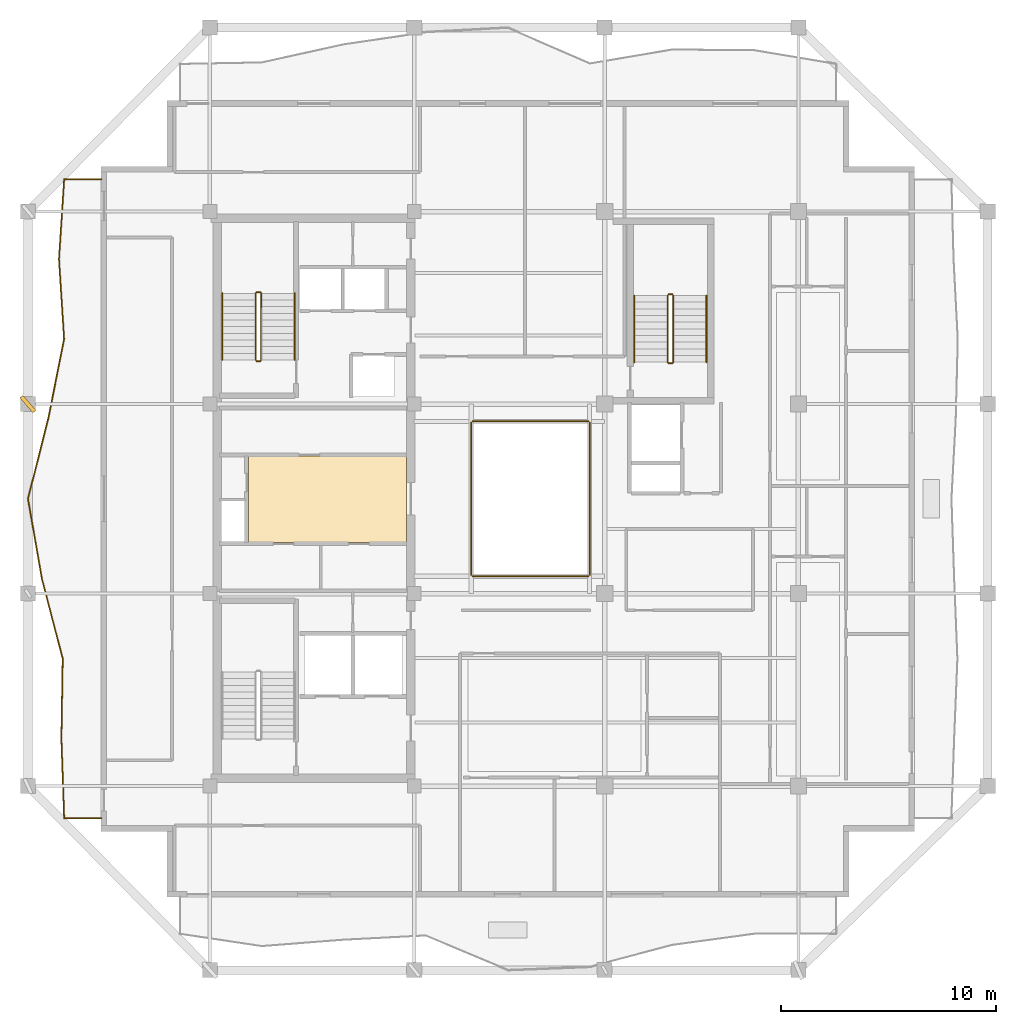
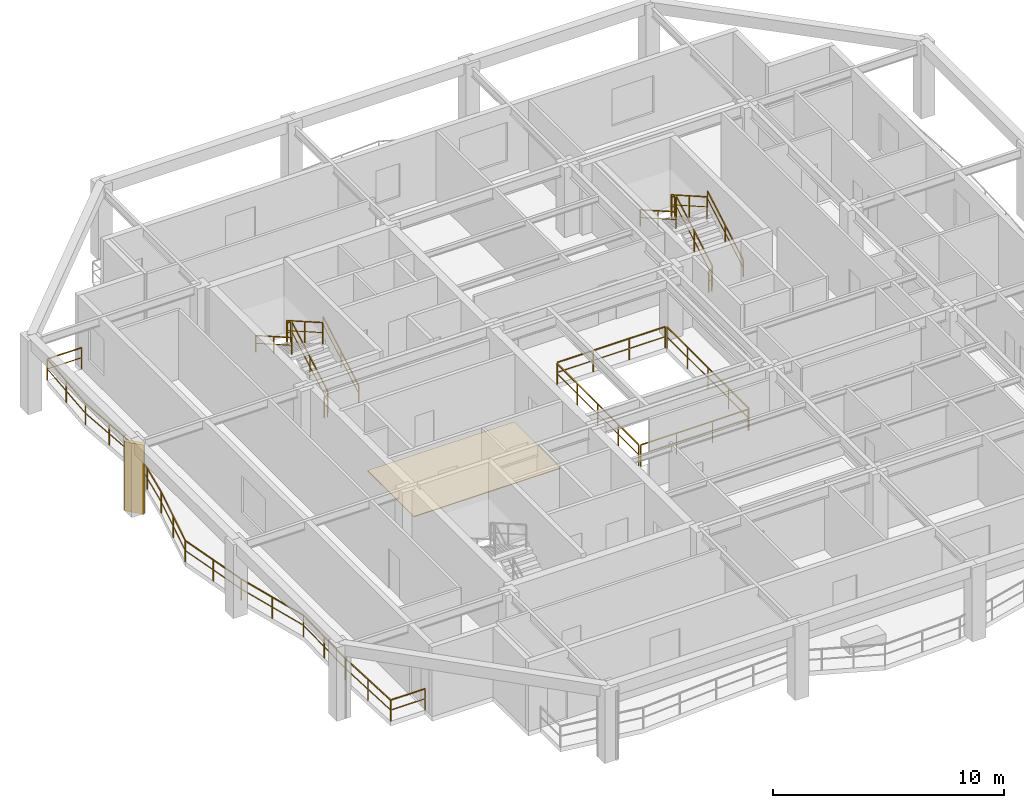
# One storey, part 8 of 10: 17 railings, 1 covering, 1 shading device.
"""IFC4 building model written with IfcOpenShell, lengths in metres."""

from ifc_helpers import new_model, si_unit, direction, frame, origin, origin_2d, place, context, subcontext, project, spatial, polyline, rectangle, outline, extrude, material, layer, layer_set, type_object, element, save


model = new_model("IFC4")

# Units and contexts
model_context = context("Model", 3, precision=1e-05, world=origin(), true_north=direction((0.0, 1.0)))
body_context = subcontext(model_context, "Body", "Model", "MODEL_VIEW")
ifc_project = project(units=[si_unit("LENGTHUNIT", "METRE"), si_unit("AREAUNIT", "SQUARE_METRE"), si_unit("VOLUMEUNIT", "CUBIC_METRE"), si_unit("PLANEANGLEUNIT", "RADIAN"), si_unit("MASSUNIT", "GRAM", prefix="KILO")], contexts=[model_context])

# Site, building, storey
site_placement = place(None, origin())
site = spatial("IfcSite", under=ifc_project, at=site_placement, CompositionType="ELEMENT")
building_placement = place(site_placement, origin())
building = spatial("IfcBuilding", under=site, at=building_placement, Name="Kundavana Baori Tower", CompositionType="ELEMENT")
storey_placement = place(building_placement, frame((0.0, 0.0, 296.0)))
storey = spatial("IfcBuildingStorey", under=building, at=storey_placement, Name="L73", CompositionType="ELEMENT", Elevation=296.0)

# Covering
ifc_material_1 = material(Name="Honed Kota Stone and Terrazzo Flooring", Category="masonry")
ifc_layer = layer(ifc_material_1, 0.0400390625, Name="COV-FLR-TERR-40")
ifc_layer_set = layer_set([ifc_layer], Name="Honed Kota Stone and Terrazzo Flooring")
covering_type = type_object("IfcCoveringType", Name="COV-FLR-TERR-40", PredefinedType="FLOORING", material=ifc_layer_set)
covering_placement = place(storey_placement, origin())
element("IfcCovering", 1, at=covering_placement, inside=storey, type_object=covering_type, Name="L73 Core Lift Lobby Kota Stone Flooring", PredefinedType="FLOORING", context=body_context, shape_type="SweptSolid", body=[
    extrude(outline(polyline([(17.25, 26.580078125), (24.580078125, 26.580078125), (24.580078125, 30.60009765625), (17.25, 30.60009765625), (17.25, 26.580078125)])), origin(), (0.0, 0.0, 1.0), 0.0400390625),
])

# Railings
ifc_material_2 = material(Name="Architectural Patinated Bronze Metalwork")
railing_type_1 = type_object("IfcRailingType", Name="RL-BAL-1150", PredefinedType="BALUSTRADE", material=ifc_material_2)
railing_1_placement = place(storey_placement, frame((10.39990234375, 13.75, 0.0)))
element("IfcRailing", 2, at=railing_1_placement, inside=storey, type_object=railing_type_1, Name="L73 Loggia Balcony Balustrade W", PredefinedType="BALUSTRADE", context=body_context, shape_type="SweptSolid", body=[
    extrude(rectangle(XDim=0.048095703125, YDim=0.048095703125, at=origin_2d()), frame((0.0, 0.0, 1.1259765625), z_axis=(-1.0, 0.0, 0.0), x_axis=(0.0, -1.0, 0.0)), (0.0, 0.0, 1.0), 1.719970703125),
    extrude(rectangle(XDim=0.03125, YDim=0.03125, at=origin_2d()), frame((0.0, 0.0, 0.597900390625), z_axis=(-1.0, 0.0, 0.0), x_axis=(0.0, -1.0, 0.0)), (0.0, 0.0, 1.0), 1.719970703125),
    extrude(rectangle(XDim=0.048095703125, YDim=0.048095703125, at=origin_2d()), frame((-1.719970703125, 0.0, 1.1259765625), z_axis=(-0.034969390962, 0.999388383811, 0.0), x_axis=(-0.999388383811, -0.034969390962, 0.0)), (0.0, 0.0, 1.0), 3.714111328125),
    extrude(rectangle(XDim=0.03125, YDim=0.03125, at=origin_2d()), frame((-1.719970703125, 0.0, 0.597900390625), z_axis=(-0.034969390962, 0.999388383811, 0.0), x_axis=(-0.999388383811, -0.034969390962, 0.0)), (0.0, 0.0, 1.0), 3.714111328125),
    extrude(rectangle(XDim=0.048095703125, YDim=0.048095703125, at=origin_2d()), frame((-1.849853515625, 3.7119140625, 1.1259765625), z_axis=(0.01643541537, 0.999864929439, 0.0), x_axis=(-0.999864929439, 0.01643541537, 0.0)), (0.0, 0.0, 1.0), 3.713623046875),
    extrude(rectangle(XDim=0.03125, YDim=0.03125, at=origin_2d()), frame((-1.849853515625, 3.7119140625, 0.597900390625), z_axis=(0.01643541537, 0.999864929439, 0.0), x_axis=(-0.999864929439, 0.01643541537, 0.0)), (0.0, 0.0, 1.0), 3.713623046875),
    extrude(rectangle(XDim=0.048095703125, YDim=0.048095703125, at=origin_2d()), frame((-1.788818359375, 7.425048828125, 1.1259765625), z_axis=(-0.251807899122, 0.967777237767, 0.0), x_axis=(-0.967777237767, -0.251807899122, 0.0)), (0.0, 0.0, 1.0), 3.83642578125),
    extrude(rectangle(XDim=0.03125, YDim=0.03125, at=origin_2d()), frame((-1.788818359375, 7.425048828125, 0.597900390625), z_axis=(-0.251807899122, 0.967777237767, 0.0), x_axis=(-0.967777237767, -0.251807899122, 0.0)), (0.0, 0.0, 1.0), 3.83642578125),
    extrude(rectangle(XDim=0.048095703125, YDim=0.048095703125, at=origin_2d()), frame((-2.7548828125, 11.137939453125, 1.1259765625), z_axis=(-0.171193507147, 0.985237424741, 0.0), x_axis=(-0.985237424741, -0.171193507147, 0.0)), (0.0, 0.0, 1.0), 3.767822265625),
    extrude(rectangle(XDim=0.03125, YDim=0.03125, at=origin_2d()), frame((-2.7548828125, 11.137939453125, 0.597900390625), z_axis=(-0.171193507147, 0.985237424741, 0.0), x_axis=(-0.985237424741, -0.171193507147, 0.0)), (0.0, 0.0, 1.0), 3.767822265625),
    extrude(rectangle(XDim=0.048095703125, YDim=0.048095703125, at=origin_2d()), frame((-3.39990234375, 14.85009765625, 1.1259765625), z_axis=(0.244755744904, 0.969584769546, 0.0), x_axis=(-0.969584769546, 0.244755744904, 0.0)), (0.0, 0.0, 1.0), 3.828369140625),
    extrude(rectangle(XDim=0.03125, YDim=0.03125, at=origin_2d()), frame((-3.39990234375, 14.85009765625, 0.597900390625), z_axis=(0.244755744904, 0.969584769546, 0.0), x_axis=(-0.969584769546, 0.244755744904, 0.0)), (0.0, 0.0, 1.0), 3.828369140625),
    extrude(rectangle(XDim=0.048095703125, YDim=0.048095703125, at=origin_2d()), frame((-2.462890625, 18.56201171875, 1.1259765625), z_axis=(0.195458824017, 0.980711908826, 0.0), x_axis=(-0.980711908826, 0.195458824017, 0.0)), (0.0, 0.0, 1.0), 3.785888671875),
    extrude(rectangle(XDim=0.03125, YDim=0.03125, at=origin_2d()), frame((-2.462890625, 18.56201171875, 0.597900390625), z_axis=(0.195458824017, 0.980711908826, 0.0), x_axis=(-0.980711908826, 0.195458824017, 0.0)), (0.0, 0.0, 1.0), 3.785888671875),
    extrude(rectangle(XDim=0.048095703125, YDim=0.048095703125, at=origin_2d()), frame((-1.722900390625, 22.27490234375, 1.1259765625), z_axis=(-0.063975454374, 0.997951472386, 0.0), x_axis=(-0.997951472386, -0.063975454374, 0.0)), (0.0, 0.0, 1.0), 3.720703125),
    extrude(rectangle(XDim=0.03125, YDim=0.03125, at=origin_2d()), frame((-1.722900390625, 22.27490234375, 0.597900390625), z_axis=(-0.063975454374, 0.997951472386, 0.0), x_axis=(-0.997951472386, -0.063975454374, 0.0)), (0.0, 0.0, 1.0), 3.720703125),
    extrude(rectangle(XDim=0.048095703125, YDim=0.048095703125, at=origin_2d()), frame((-1.9609375, 25.988037109375, 1.1259765625), z_axis=(0.064780769939, 0.997899519915, 0.0), x_axis=(-0.997899519915, 0.064780769939, 0.0)), (0.0, 0.0, 1.0), 3.7197265625),
    extrude(rectangle(XDim=0.03125, YDim=0.03125, at=origin_2d()), frame((-1.9609375, 25.988037109375, 0.597900390625), z_axis=(0.064780769939, 0.997899519915, 0.0), x_axis=(-0.997899519915, 0.064780769939, 0.0)), (0.0, 0.0, 1.0), 3.7197265625),
    extrude(rectangle(XDim=0.048095703125, YDim=0.048095703125, at=origin_2d()), frame((-1.719970703125, 29.699951171875, 1.1259765625), z_axis=(1.0, 0.0, 0.0), x_axis=(0.0, 1.0, 0.0)), (0.0, 0.0, 1.0), 1.719970703125),
    extrude(rectangle(XDim=0.03125, YDim=0.03125, at=origin_2d()), frame((-1.719970703125, 29.699951171875, 0.597900390625), z_axis=(1.0, 0.0, 0.0), x_axis=(0.0, 1.0, 0.0)), (0.0, 0.0, 1.0), 1.719970703125),
    extrude(rectangle(XDim=0.0419921875, YDim=0.0419921875, at=origin_2d()), origin(), (0.0, 0.0, 1.0), 1.101806640625),
    extrude(rectangle(XDim=0.0419921875, YDim=0.0419921875, at=origin_2d()), frame((-1.719970703125, 0.0, 0.0)), (0.0, 0.0, 1.0), 1.101806640625),
    extrude(rectangle(XDim=0.0419921875, YDim=0.0419921875, at=origin_2d()), frame((-1.784912109375, 1.85595703125, 0.0)), (0.0, 0.0, 1.0), 1.101806640625),
    extrude(rectangle(XDim=0.0419921875, YDim=0.0419921875, at=origin_2d()), frame((-1.849853515625, 3.7119140625, 0.0)), (0.0, 0.0, 1.0), 1.101806640625),
    extrude(rectangle(XDim=0.0419921875, YDim=0.0419921875, at=origin_2d()), frame((-1.8193359375, 5.568359375, 0.0)), (0.0, 0.0, 1.0), 1.101806640625),
    extrude(rectangle(XDim=0.0419921875, YDim=0.0419921875, at=origin_2d()), frame((-1.788818359375, 7.425048828125, 0.0)), (0.0, 0.0, 1.0), 1.101806640625),
    extrude(rectangle(XDim=0.0419921875, YDim=0.0419921875, at=origin_2d()), frame((-2.27197265625, 9.281494140625, 0.0)), (0.0, 0.0, 1.0), 1.101806640625),
    extrude(rectangle(XDim=0.0419921875, YDim=0.0419921875, at=origin_2d()), frame((-2.7548828125, 11.137939453125, 0.0)), (0.0, 0.0, 1.0), 1.101806640625),
    extrude(rectangle(XDim=0.0419921875, YDim=0.0419921875, at=origin_2d()), frame((-3.077392578125, 12.994140625, 0.0)), (0.0, 0.0, 1.0), 1.101806640625),
    extrude(rectangle(XDim=0.0419921875, YDim=0.0419921875, at=origin_2d()), frame((-3.39990234375, 14.85009765625, 0.0)), (0.0, 0.0, 1.0), 1.101806640625),
    extrude(rectangle(XDim=0.0419921875, YDim=0.0419921875, at=origin_2d()), frame((-2.931396484375, 16.7060546875, 0.0)), (0.0, 0.0, 1.0), 1.101806640625),
    extrude(rectangle(XDim=0.0419921875, YDim=0.0419921875, at=origin_2d()), frame((-2.462890625, 18.56201171875, 0.0)), (0.0, 0.0, 1.0), 1.101806640625),
    extrude(rectangle(XDim=0.0419921875, YDim=0.0419921875, at=origin_2d()), frame((-2.0927734375, 20.41845703125, 0.0)), (0.0, 0.0, 1.0), 1.101806640625),
    extrude(rectangle(XDim=0.0419921875, YDim=0.0419921875, at=origin_2d()), frame((-1.722900390625, 22.27490234375, 0.0)), (0.0, 0.0, 1.0), 1.101806640625),
    extrude(rectangle(XDim=0.0419921875, YDim=0.0419921875, at=origin_2d()), frame((-1.841796875, 24.13134765625, 0.0)), (0.0, 0.0, 1.0), 1.101806640625),
    extrude(rectangle(XDim=0.0419921875, YDim=0.0419921875, at=origin_2d()), frame((-1.9609375, 25.988037109375, 0.0)), (0.0, 0.0, 1.0), 1.101806640625),
    extrude(rectangle(XDim=0.0419921875, YDim=0.0419921875, at=origin_2d()), frame((-1.84033203125, 27.843994140625, 0.0)), (0.0, 0.0, 1.0), 1.101806640625),
    extrude(rectangle(XDim=0.0419921875, YDim=0.0419921875, at=origin_2d()), frame((-1.719970703125, 29.699951171875, 0.0)), (0.0, 0.0, 1.0), 1.101806640625),
    extrude(rectangle(XDim=0.0419921875, YDim=0.0419921875, at=origin_2d()), frame((0.0, 29.699951171875, 0.0)), (0.0, 0.0, 1.0), 1.101806640625),
])
ifc_material_3 = material(Name="Architectural Patinated Bronze Metalwork")
railing_type_2 = type_object("IfcRailingType", Name="RL-GRD-1150", PredefinedType="GUARDRAIL", material=ifc_material_3)
railing_2_placement = place(storey_placement, frame((17.840087890625, 35.050048828125, 0.17724609375)))
element("IfcRailing", 3, at=railing_2_placement, inside=storey, type_object=railing_type_2, Name="L73 ST2 stair guard 1", PredefinedType="GUARDRAIL", context=body_context, shape_type="SweptSolid", body=[
    extrude(rectangle(XDim=0.048095703125, YDim=0.048095703125, at=origin_2d()), frame((0.0, 0.0, 1.1259765625), z_axis=(0.0, 0.868079009454, 0.496426060301), x_axis=(-1.0, 0.0, 0.0)), (0.0, 0.0, 1.0), 3.571044921875),
    extrude(rectangle(XDim=0.03125, YDim=0.03125, at=origin_2d()), frame((0.0, 0.0, 0.597900390625), z_axis=(0.0, 0.868079009454, 0.496426060301), x_axis=(-1.0, 0.0, 0.0)), (0.0, 0.0, 1.0), 3.571044921875),
    extrude(rectangle(XDim=0.0419921875, YDim=0.0419921875, at=origin_2d()), origin(), (0.0, 0.0, 1.0), 1.101806640625),
    extrude(rectangle(XDim=0.0419921875, YDim=0.0419921875, at=origin_2d()), frame((0.0, 1.5498046875, 0.88623046875)), (0.0, 0.0, 1.0), 1.101806640625),
    extrude(rectangle(XDim=0.0419921875, YDim=0.0419921875, at=origin_2d()), frame((0.0, 3.099853515625, 1.772705078125)), (0.0, 0.0, 1.0), 1.101806640625),
])
railing_3_placement = place(storey_placement, frame((17.7900390625, 38.199951171875, 1.949951171875)))
element("IfcRailing", 4, at=railing_3_placement, inside=storey, type_object=railing_type_2, Name="L73 ST2 stair guard 2", PredefinedType="GUARDRAIL", context=body_context, shape_type="SweptSolid", body=[
    extrude(rectangle(XDim=0.048095703125, YDim=0.048095703125, at=origin_2d()), frame((0.0, 0.0, 1.1259765625), z_axis=(-1.0, 0.0, 0.0), x_axis=(0.0, -1.0, 0.0)), (0.0, 0.0, 1.0), 0.16015625),
    extrude(rectangle(XDim=0.03125, YDim=0.03125, at=origin_2d()), frame((0.0, 0.0, 0.597900390625), z_axis=(-1.0, 0.0, 0.0), x_axis=(0.0, -1.0, 0.0)), (0.0, 0.0, 1.0), 0.16015625),
    extrude(rectangle(XDim=0.0419921875, YDim=0.0419921875, at=origin_2d()), origin(), (0.0, 0.0, 1.0), 1.101806640625),
    extrude(rectangle(XDim=0.0419921875, YDim=0.0419921875, at=origin_2d()), frame((-0.16015625, 0.0, 0.0)), (0.0, 0.0, 1.0), 1.101806640625),
])
railing_4_placement = place(storey_placement, frame((17.580078125, 38.14990234375, 2.127197265625)))
element("IfcRailing", 5, at=railing_4_placement, inside=storey, type_object=railing_type_2, Name="L73 ST2 stair guard 3", PredefinedType="GUARDRAIL", context=body_context, shape_type="SweptSolid", body=[
    extrude(rectangle(XDim=0.048095703125, YDim=0.048095703125, at=origin_2d()), frame((0.0, 0.0, 1.1259765625), z_axis=(0.0, -0.868079009454, 0.496426060301), x_axis=(1.0, 0.0, 0.0)), (0.0, 0.0, 1.0), 3.571044921875),
    extrude(rectangle(XDim=0.03125, YDim=0.03125, at=origin_2d()), frame((0.0, 0.0, 0.597900390625), z_axis=(0.0, -0.868079009454, 0.496426060301), x_axis=(1.0, 0.0, 0.0)), (0.0, 0.0, 1.0), 3.571044921875),
    extrude(rectangle(XDim=0.0419921875, YDim=0.0419921875, at=origin_2d()), origin(), (0.0, 0.0, 1.0), 1.101806640625),
    extrude(rectangle(XDim=0.0419921875, YDim=0.0419921875, at=origin_2d()), frame((0.0, -1.5498046875, 0.88623046875)), (0.0, 0.0, 1.0), 1.101806640625),
    extrude(rectangle(XDim=0.0419921875, YDim=0.0419921875, at=origin_2d()), frame((0.0, -3.099853515625, 1.772705078125)), (0.0, 0.0, 1.0), 1.101806640625),
])
railing_5_placement = place(storey_placement, frame((17.7900390625, 35.0, 0.0)))
element("IfcRailing", 6, at=railing_5_placement, inside=storey, type_object=railing_type_2, Name="L73 ST2 stair guard 4", PredefinedType="GUARDRAIL", context=body_context, shape_type="SweptSolid", body=[
    extrude(rectangle(XDim=0.048095703125, YDim=0.048095703125, at=origin_2d()), frame((0.0, 0.0, 1.1259765625), z_axis=(-1.0, 0.0, 0.0), x_axis=(0.0, -1.0, 0.0)), (0.0, 0.0, 1.0), 0.16015625),
    extrude(rectangle(XDim=0.03125, YDim=0.03125, at=origin_2d()), frame((0.0, 0.0, 0.597900390625), z_axis=(-1.0, 0.0, 0.0), x_axis=(0.0, -1.0, 0.0)), (0.0, 0.0, 1.0), 0.16015625),
    extrude(rectangle(XDim=0.0419921875, YDim=0.0419921875, at=origin_2d()), origin(), (0.0, 0.0, 1.0), 1.101806640625),
    extrude(rectangle(XDim=0.0419921875, YDim=0.0419921875, at=origin_2d()), frame((-0.16015625, 0.0, 0.0)), (0.0, 0.0, 1.0), 1.101806640625),
])
railing_6_placement = place(storey_placement, frame((36.97998046875, 34.949951171875, 0.17724609375)))
element("IfcRailing", 7, at=railing_6_placement, inside=storey, type_object=railing_type_2, Name="L73 ST3 stair guard 1", PredefinedType="GUARDRAIL", context=body_context, shape_type="SweptSolid", body=[
    extrude(rectangle(XDim=0.048095703125, YDim=0.048095703125, at=origin_2d()), frame((0.0, 0.0, 1.1259765625), z_axis=(0.0, 0.868095856688, 0.496396599103), x_axis=(-1.0, 0.0, 0.0)), (0.0, 0.0, 1.0), 3.571044921875),
    extrude(rectangle(XDim=0.03125, YDim=0.03125, at=origin_2d()), frame((0.0, 0.0, 0.597900390625), z_axis=(0.0, 0.868095856688, 0.496396599103), x_axis=(-1.0, 0.0, 0.0)), (0.0, 0.0, 1.0), 3.571044921875),
    extrude(rectangle(XDim=0.0419921875, YDim=0.0419921875, at=origin_2d()), origin(), (0.0, 0.0, 1.0), 1.101806640625),
    extrude(rectangle(XDim=0.0419921875, YDim=0.0419921875, at=origin_2d()), frame((0.0, 1.550048828125, 0.88623046875)), (0.0, 0.0, 1.0), 1.101806640625),
    extrude(rectangle(XDim=0.0419921875, YDim=0.0419921875, at=origin_2d()), frame((0.0, 3.10009765625, 1.772705078125)), (0.0, 0.0, 1.0), 1.101806640625),
])
railing_7_placement = place(storey_placement, frame((36.929931640625, 38.10009765625, 1.949951171875)))
element("IfcRailing", 8, at=railing_7_placement, inside=storey, type_object=railing_type_2, Name="L73 ST3 stair guard 2", PredefinedType="GUARDRAIL", context=body_context, shape_type="SweptSolid", body=[
    extrude(rectangle(XDim=0.048095703125, YDim=0.048095703125, at=origin_2d()), frame((0.0, 0.0, 1.1259765625), z_axis=(-1.0, 0.0, 0.0), x_axis=(0.0, -1.0, 0.0)), (0.0, 0.0, 1.0), 0.159912109375),
    extrude(rectangle(XDim=0.03125, YDim=0.03125, at=origin_2d()), frame((0.0, 0.0, 0.597900390625), z_axis=(-1.0, 0.0, 0.0), x_axis=(0.0, -1.0, 0.0)), (0.0, 0.0, 1.0), 0.159912109375),
    extrude(rectangle(XDim=0.0419921875, YDim=0.0419921875, at=origin_2d()), origin(), (0.0, 0.0, 1.0), 1.101806640625),
    extrude(rectangle(XDim=0.0419921875, YDim=0.0419921875, at=origin_2d()), frame((-0.159912109375, 0.0, 0.0)), (0.0, 0.0, 1.0), 1.101806640625),
])
railing_8_placement = place(storey_placement, frame((36.719970703125, 38.050048828125, 2.127197265625)))
element("IfcRailing", 9, at=railing_8_placement, inside=storey, type_object=railing_type_2, Name="L73 ST3 stair guard 3", PredefinedType="GUARDRAIL", context=body_context, shape_type="SweptSolid", body=[
    extrude(rectangle(XDim=0.048095703125, YDim=0.048095703125, at=origin_2d()), frame((0.0, 0.0, 1.1259765625), z_axis=(0.0, -0.868095856688, 0.496396599103), x_axis=(1.0, 0.0, 0.0)), (0.0, 0.0, 1.0), 3.571044921875),
    extrude(rectangle(XDim=0.03125, YDim=0.03125, at=origin_2d()), frame((0.0, 0.0, 0.597900390625), z_axis=(0.0, -0.868095856688, 0.496396599103), x_axis=(1.0, 0.0, 0.0)), (0.0, 0.0, 1.0), 3.571044921875),
    extrude(rectangle(XDim=0.0419921875, YDim=0.0419921875, at=origin_2d()), origin(), (0.0, 0.0, 1.0), 1.101806640625),
    extrude(rectangle(XDim=0.0419921875, YDim=0.0419921875, at=origin_2d()), frame((0.0, -1.550048828125, 0.88623046875)), (0.0, 0.0, 1.0), 1.101806640625),
    extrude(rectangle(XDim=0.0419921875, YDim=0.0419921875, at=origin_2d()), frame((0.0, -3.10009765625, 1.772705078125)), (0.0, 0.0, 1.0), 1.101806640625),
])
railing_9_placement = place(storey_placement, frame((36.929931640625, 34.89990234375, 0.0)))
element("IfcRailing", 10, at=railing_9_placement, inside=storey, type_object=railing_type_2, Name="L73 ST3 stair guard 4", PredefinedType="GUARDRAIL", context=body_context, shape_type="SweptSolid", body=[
    extrude(rectangle(XDim=0.048095703125, YDim=0.048095703125, at=origin_2d()), frame((0.0, 0.0, 1.1259765625), z_axis=(-1.0, 0.0, 0.0), x_axis=(0.0, -1.0, 0.0)), (0.0, 0.0, 1.0), 0.159912109375),
    extrude(rectangle(XDim=0.03125, YDim=0.03125, at=origin_2d()), frame((0.0, 0.0, 0.597900390625), z_axis=(-1.0, 0.0, 0.0), x_axis=(0.0, -1.0, 0.0)), (0.0, 0.0, 1.0), 0.159912109375),
    extrude(rectangle(XDim=0.0419921875, YDim=0.0419921875, at=origin_2d()), origin(), (0.0, 0.0, 1.0), 1.101806640625),
    extrude(rectangle(XDim=0.0419921875, YDim=0.0419921875, at=origin_2d()), frame((-0.159912109375, 0.0, 0.0)), (0.0, 0.0, 1.0), 1.101806640625),
])
railing_10_placement = place(storey_placement, frame((27.659912109375, 25.0, 0.0)))
element("IfcRailing", 11, at=railing_10_placement, inside=storey, type_object=railing_type_2, Name="L73 Atrium Void Perimeter Guardrail S", PredefinedType="GUARDRAIL", context=body_context, shape_type="SweptSolid", body=[
    extrude(rectangle(XDim=0.048095703125, YDim=0.048095703125, at=origin_2d()), frame((0.0, 0.0, 1.1259765625), z_axis=(1.0, 0.0, 0.0), x_axis=(0.0, 1.0, 0.0)), (0.0, 0.0, 1.0), 5.380126953125),
    extrude(rectangle(XDim=0.03125, YDim=0.03125, at=origin_2d()), frame((0.0, 0.0, 0.597900390625), z_axis=(1.0, 0.0, 0.0), x_axis=(0.0, 1.0, 0.0)), (0.0, 0.0, 1.0), 5.380126953125),
    extrude(rectangle(XDim=0.0419921875, YDim=0.0419921875, at=origin_2d()), origin(), (0.0, 0.0, 1.0), 1.101806640625),
    extrude(rectangle(XDim=0.0419921875, YDim=0.0419921875, at=origin_2d()), frame((1.79345703125, 0.0, 0.0)), (0.0, 0.0, 1.0), 1.101806640625),
    extrude(rectangle(XDim=0.0419921875, YDim=0.0419921875, at=origin_2d()), frame((3.586669921875, 0.0, 0.0)), (0.0, 0.0, 1.0), 1.101806640625),
    extrude(rectangle(XDim=0.0419921875, YDim=0.0419921875, at=origin_2d()), frame((5.380126953125, 0.0, 0.0)), (0.0, 0.0, 1.0), 1.101806640625),
])
railing_11_placement = place(storey_placement, frame((33.10009765625, 25.06005859375, 0.0)))
element("IfcRailing", 12, at=railing_11_placement, inside=storey, type_object=railing_type_2, Name="L73 Atrium Void Perimeter Guardrail E", PredefinedType="GUARDRAIL", context=body_context, shape_type="SweptSolid", body=[
    extrude(rectangle(XDim=0.048095703125, YDim=0.048095703125, at=origin_2d()), frame((0.0, 0.0, 1.1259765625), z_axis=(0.0, 1.0, 0.0), x_axis=(-1.0, 0.0, 0.0)), (0.0, 0.0, 1.0), 7.079833984375),
    extrude(rectangle(XDim=0.03125, YDim=0.03125, at=origin_2d()), frame((0.0, 0.0, 0.597900390625), z_axis=(0.0, 1.0, 0.0), x_axis=(-1.0, 0.0, 0.0)), (0.0, 0.0, 1.0), 7.079833984375),
    extrude(rectangle(XDim=0.0419921875, YDim=0.0419921875, at=origin_2d()), origin(), (0.0, 0.0, 1.0), 1.101806640625),
    extrude(rectangle(XDim=0.0419921875, YDim=0.0419921875, at=origin_2d()), frame((0.0, 1.77001953125, 0.0)), (0.0, 0.0, 1.0), 1.101806640625),
    extrude(rectangle(XDim=0.0419921875, YDim=0.0419921875, at=origin_2d()), frame((0.0, 3.5400390625, 0.0)), (0.0, 0.0, 1.0), 1.101806640625),
    extrude(rectangle(XDim=0.0419921875, YDim=0.0419921875, at=origin_2d()), frame((0.0, 5.309814453125, 0.0)), (0.0, 0.0, 1.0), 1.101806640625),
    extrude(rectangle(XDim=0.0419921875, YDim=0.0419921875, at=origin_2d()), frame((0.0, 7.079833984375, 0.0)), (0.0, 0.0, 1.0), 1.101806640625),
])
railing_12_placement = place(storey_placement, frame((33.0400390625, 32.199951171875, 0.0)))
element("IfcRailing", 13, at=railing_12_placement, inside=storey, type_object=railing_type_2, Name="L73 Atrium Void Perimeter Guardrail N", PredefinedType="GUARDRAIL", context=body_context, shape_type="SweptSolid", body=[
    extrude(rectangle(XDim=0.048095703125, YDim=0.048095703125, at=origin_2d()), frame((0.0, 0.0, 1.1259765625), z_axis=(-1.0, 0.0, 0.0), x_axis=(0.0, -1.0, 0.0)), (0.0, 0.0, 1.0), 5.380126953125),
    extrude(rectangle(XDim=0.03125, YDim=0.03125, at=origin_2d()), frame((0.0, 0.0, 0.597900390625), z_axis=(-1.0, 0.0, 0.0), x_axis=(0.0, -1.0, 0.0)), (0.0, 0.0, 1.0), 5.380126953125),
    extrude(rectangle(XDim=0.0419921875, YDim=0.0419921875, at=origin_2d()), origin(), (0.0, 0.0, 1.0), 1.101806640625),
    extrude(rectangle(XDim=0.0419921875, YDim=0.0419921875, at=origin_2d()), frame((-1.79345703125, 0.0, 0.0)), (0.0, 0.0, 1.0), 1.101806640625),
    extrude(rectangle(XDim=0.0419921875, YDim=0.0419921875, at=origin_2d()), frame((-3.586669921875, 0.0, 0.0)), (0.0, 0.0, 1.0), 1.101806640625),
    extrude(rectangle(XDim=0.0419921875, YDim=0.0419921875, at=origin_2d()), frame((-5.380126953125, 0.0, 0.0)), (0.0, 0.0, 1.0), 1.101806640625),
])
railing_13_placement = place(storey_placement, frame((27.60009765625, 32.139892578125, 0.0)))
element("IfcRailing", 14, at=railing_13_placement, inside=storey, type_object=railing_type_2, Name="L73 Atrium Void Perimeter Guardrail W", PredefinedType="GUARDRAIL", context=body_context, shape_type="SweptSolid", body=[
    extrude(rectangle(XDim=0.048095703125, YDim=0.048095703125, at=origin_2d()), frame((0.0, 0.0, 1.1259765625), z_axis=(0.0, -1.0, 0.0), x_axis=(1.0, 0.0, 0.0)), (0.0, 0.0, 1.0), 7.079833984375),
    extrude(rectangle(XDim=0.03125, YDim=0.03125, at=origin_2d()), frame((0.0, 0.0, 0.597900390625), z_axis=(0.0, -1.0, 0.0), x_axis=(1.0, 0.0, 0.0)), (0.0, 0.0, 1.0), 7.079833984375),
    extrude(rectangle(XDim=0.0419921875, YDim=0.0419921875, at=origin_2d()), origin(), (0.0, 0.0, 1.0), 1.101806640625),
    extrude(rectangle(XDim=0.0419921875, YDim=0.0419921875, at=origin_2d()), frame((0.0, -1.77001953125, 0.0)), (0.0, 0.0, 1.0), 1.101806640625),
    extrude(rectangle(XDim=0.0419921875, YDim=0.0419921875, at=origin_2d()), frame((0.0, -3.5400390625, 0.0)), (0.0, 0.0, 1.0), 1.101806640625),
    extrude(rectangle(XDim=0.0419921875, YDim=0.0419921875, at=origin_2d()), frame((0.0, -5.309814453125, 0.0)), (0.0, 0.0, 1.0), 1.101806640625),
    extrude(rectangle(XDim=0.0419921875, YDim=0.0419921875, at=origin_2d()), frame((0.0, -7.079833984375, 0.0)), (0.0, 0.0, 1.0), 1.101806640625),
])
ifc_material_4 = material(Name="Architectural Patinated Bronze Metalwork")
railing_type_3 = type_object("IfcRailingType", Name="RL-HND-920", PredefinedType="HANDRAIL", material=ifc_material_4)
railing_14_placement = place(storey_placement, frame((19.389892578125, 35.050048828125, 0.17724609375)))
element("IfcRailing", 15, at=railing_14_placement, inside=storey, type_object=railing_type_3, Name="L73 ST2 stair handrail 1", PredefinedType="HANDRAIL", context=body_context, shape_type="SweptSolid", body=[
    extrude(rectangle(XDim=0.048095703125, YDim=0.048095703125, at=origin_2d()), frame((0.0, 0.0, 0.8759765625), z_axis=(0.0, 0.868079009454, 0.496426060301), x_axis=(-1.0, 0.0, 0.0)), (0.0, 0.0, 1.0), 3.571044921875),
    extrude(rectangle(XDim=0.03125, YDim=0.03125, at=origin_2d()), frame((0.0, 0.0, 0.468017578125), z_axis=(0.0, 0.868079009454, 0.496426060301), x_axis=(-1.0, 0.0, 0.0)), (0.0, 0.0, 1.0), 3.571044921875),
    extrude(rectangle(XDim=0.0419921875, YDim=0.0419921875, at=origin_2d()), origin(), (0.0, 0.0, 1.0), 0.851806640625),
    extrude(rectangle(XDim=0.0419921875, YDim=0.0419921875, at=origin_2d()), frame((0.0, 1.5498046875, 0.88623046875)), (0.0, 0.0, 1.0), 0.851806640625),
    extrude(rectangle(XDim=0.0419921875, YDim=0.0419921875, at=origin_2d()), frame((0.0, 3.099853515625, 1.772705078125)), (0.0, 0.0, 1.0), 0.851806640625),
])
railing_15_placement = place(storey_placement, frame((16.030029296875, 38.14990234375, 2.127197265625)))
element("IfcRailing", 16, at=railing_15_placement, inside=storey, type_object=railing_type_3, Name="L73 ST2 stair handrail 2", PredefinedType="HANDRAIL", context=body_context, shape_type="SweptSolid", body=[
    extrude(rectangle(XDim=0.048095703125, YDim=0.048095703125, at=origin_2d()), frame((0.0, 0.0, 0.8759765625), z_axis=(0.0, -0.868079009454, 0.496426060301), x_axis=(1.0, 0.0, 0.0)), (0.0, 0.0, 1.0), 3.571044921875),
    extrude(rectangle(XDim=0.03125, YDim=0.03125, at=origin_2d()), frame((0.0, 0.0, 0.468017578125), z_axis=(0.0, -0.868079009454, 0.496426060301), x_axis=(1.0, 0.0, 0.0)), (0.0, 0.0, 1.0), 3.571044921875),
    extrude(rectangle(XDim=0.0419921875, YDim=0.0419921875, at=origin_2d()), origin(), (0.0, 0.0, 1.0), 0.851806640625),
    extrude(rectangle(XDim=0.0419921875, YDim=0.0419921875, at=origin_2d()), frame((0.0, -1.5498046875, 0.88623046875)), (0.0, 0.0, 1.0), 0.851806640625),
    extrude(rectangle(XDim=0.0419921875, YDim=0.0419921875, at=origin_2d()), frame((0.0, -3.099853515625, 1.772705078125)), (0.0, 0.0, 1.0), 0.851806640625),
])
railing_16_placement = place(storey_placement, frame((38.530029296875, 34.949951171875, 0.17724609375)))
element("IfcRailing", 17, at=railing_16_placement, inside=storey, type_object=railing_type_3, Name="L73 ST3 stair handrail 1", PredefinedType="HANDRAIL", context=body_context, shape_type="SweptSolid", body=[
    extrude(rectangle(XDim=0.048095703125, YDim=0.048095703125, at=origin_2d()), frame((0.0, 0.0, 0.8759765625), z_axis=(0.0, 0.868095856688, 0.496396599103), x_axis=(-1.0, 0.0, 0.0)), (0.0, 0.0, 1.0), 3.571044921875),
    extrude(rectangle(XDim=0.03125, YDim=0.03125, at=origin_2d()), frame((0.0, 0.0, 0.468017578125), z_axis=(0.0, 0.868095856688, 0.496396599103), x_axis=(-1.0, 0.0, 0.0)), (0.0, 0.0, 1.0), 3.571044921875),
    extrude(rectangle(XDim=0.0419921875, YDim=0.0419921875, at=origin_2d()), origin(), (0.0, 0.0, 1.0), 0.851806640625),
    extrude(rectangle(XDim=0.0419921875, YDim=0.0419921875, at=origin_2d()), frame((0.0, 1.550048828125, 0.88623046875)), (0.0, 0.0, 1.0), 0.851806640625),
    extrude(rectangle(XDim=0.0419921875, YDim=0.0419921875, at=origin_2d()), frame((0.0, 3.10009765625, 1.772705078125)), (0.0, 0.0, 1.0), 0.851806640625),
])
railing_17_placement = place(storey_placement, frame((35.169921875, 38.050048828125, 2.127197265625)))
element("IfcRailing", 18, at=railing_17_placement, inside=storey, type_object=railing_type_3, Name="L73 ST3 stair handrail 2", PredefinedType="HANDRAIL", context=body_context, shape_type="SweptSolid", body=[
    extrude(rectangle(XDim=0.048095703125, YDim=0.048095703125, at=origin_2d()), frame((0.0, 0.0, 0.8759765625), z_axis=(0.0, -0.868095856688, 0.496396599103), x_axis=(1.0, 0.0, 0.0)), (0.0, 0.0, 1.0), 3.571044921875),
    extrude(rectangle(XDim=0.03125, YDim=0.03125, at=origin_2d()), frame((0.0, 0.0, 0.468017578125), z_axis=(0.0, -0.868095856688, 0.496396599103), x_axis=(1.0, 0.0, 0.0)), (0.0, 0.0, 1.0), 3.571044921875),
    extrude(rectangle(XDim=0.0419921875, YDim=0.0419921875, at=origin_2d()), origin(), (0.0, 0.0, 1.0), 0.851806640625),
    extrude(rectangle(XDim=0.0419921875, YDim=0.0419921875, at=origin_2d()), frame((0.0, -1.550048828125, 0.88623046875)), (0.0, 0.0, 1.0), 0.851806640625),
    extrude(rectangle(XDim=0.0419921875, YDim=0.0419921875, at=origin_2d()), frame((0.0, -3.10009765625, 1.772705078125)), (0.0, 0.0, 1.0), 0.851806640625),
])

# Shading device
ifc_material_5 = material(Name="Red-Buff Dholpur Sandstone Cladding on Concrete C40/50", Category="masonry")
shading_device_type = type_object("IfcShadingDeviceType", Name="SHD-FIN-920", PredefinedType="JALOUSIE", material=ifc_material_5)
shading_device_placement = place(storey_placement, frame((7.0, 33.0, 0.0), z_axis=(0.0, 0.0, 1.0), x_axis=(0.754022143124, 0.656848999146, 0.0)))
element("IfcShadingDevice", 19, at=shading_device_placement, inside=storey, type_object=shading_device_type, Name="L73 Sweeping Dholpur Sandstone Facade Fin 7", PredefinedType="JALOUSIE", context=body_context, shape_type="SweptSolid", body=[
    extrude(rectangle(XDim=0.179931640625, YDim=0.919921875, at=origin_2d()), origin(), (0.0, 0.0, 1.0), 3.659912109375),
])

save(model, "model.ifc")
